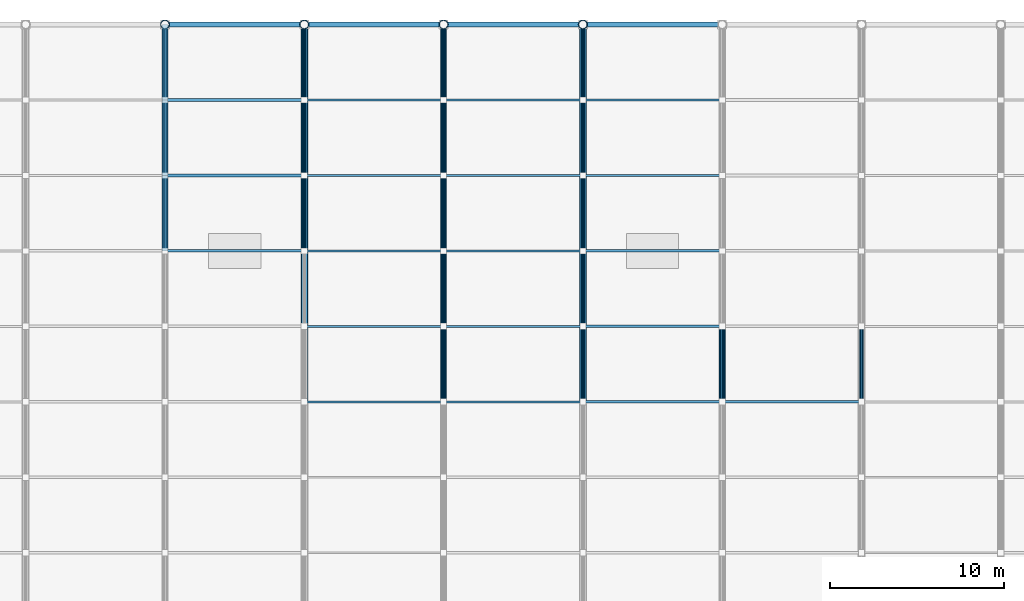
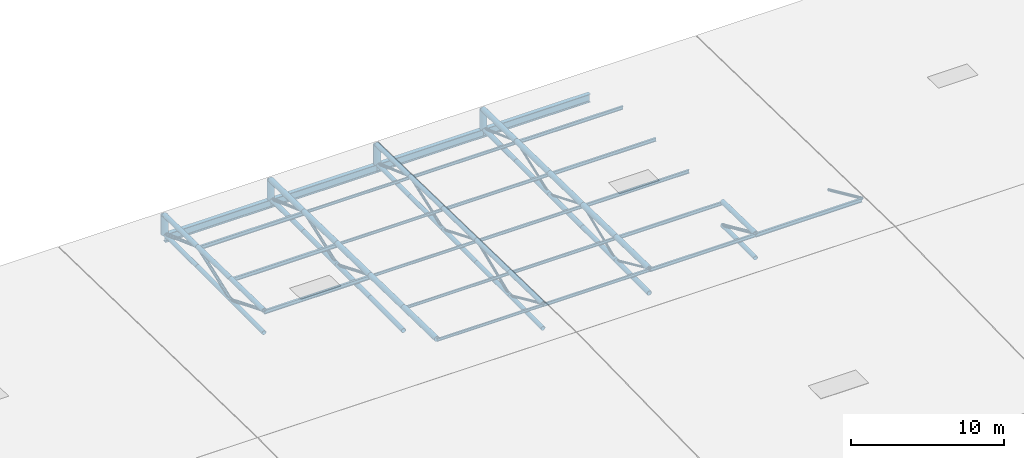
# One storey, part 52 of 75: 78 members, 4 beams.
"""IFC4 building model written with IfcOpenShell, lengths in metres."""

import ifcopenshell
import ifcopenshell.guid

model = None  # the IFC model being written
_history = None  # IfcOwnerHistory: only IFC2X3 demands one
_inside = {}  # id of a spatial element -> (the spatial element, [elements in it])
_under = {}  # id of a project, library or spatial element -> (it, [spatial elements below it])
_declared = {}  # id of a project -> (the project, [libraries it declares])
_typed = {}  # id of a type object -> (the type object, [elements of that type])
_made_of = {}  # id of a material, layer set ... -> (it, [elements and type objects made of it])


def new_model(schema):
    """Start an empty IFC model of exactly this schema.

    Asked for "IFC4X3", IfcOpenShell would pick the latest addendum, in which some entities
    have other attributes; the version numbers below select the first issue.
    IFC2X3 requires an IfcOwnerHistory on every rooted entity: one is made here for all.
    """
    global model, _history
    if schema == "IFC4X3":
        model = ifcopenshell.file(schema_version=(4, 3, 0, 0))
    else:
        model = ifcopenshell.file(schema=schema)
    _inside.clear()
    _under.clear()
    _declared.clear()
    _typed.clear()
    _made_of.clear()
    _history = None
    if model.schema == "IFC2X3":
        org = make("IfcOrganization", Name="unknown")
        user = make(
            "IfcPersonAndOrganization",
            ThePerson=make("IfcPerson", FamilyName="unknown"),
            TheOrganization=org,
        )
        app = make(
            "IfcApplication",
            ApplicationDeveloper=org,
            Version="unknown",
            ApplicationFullName="unknown",
            ApplicationIdentifier="unknown",
        )
        _history = make(
            "IfcOwnerHistory",
            OwningUser=user,
            OwningApplication=app,
            ChangeAction="ADDED",
            CreationDate=0,
        )
    return model


def make(cls, **values):
    """One entity of the class cls with the attributes given. An attribute that is None is left unset."""
    return model.create_entity(
        cls, **{name: value for name, value in values.items() if value is not None}
    )


def rooted(cls, **values):
    """An entity with a GlobalId (a new one), such as an element, a storey or a relation."""
    return make(cls, GlobalId=ifcopenshell.guid.new(), OwnerHistory=_history, **values)


def si_unit(unit_type, name, prefix=None):
    """IfcSIUnit, for example si_unit("LENGTHUNIT", "METRE", prefix="MILLI")."""
    return make("IfcSIUnit", UnitType=unit_type, Prefix=prefix, Name=name)


def assignment(units):
    """IfcUnitAssignment: the units of a project."""
    return None if units is None else make("IfcUnitAssignment", Units=units)


def point(xyz):
    """IfcCartesianPoint."""
    return None if xyz is None else make("IfcCartesianPoint", Coordinates=xyz)


def direction(xyz):
    """IfcDirection."""
    return None if xyz is None else make("IfcDirection", DirectionRatios=xyz)


def frame(location, z_axis=None, x_axis=None):
    """IfcAxis2Placement3D, a coordinate frame: its origin and axes. An axis left out is left unset."""
    return make(
        "IfcAxis2Placement3D",
        Location=point(location),
        Axis=direction(z_axis),
        RefDirection=direction(x_axis),
    )


def frame_2d(location, x_axis=None):
    """IfcAxis2Placement2D, a coordinate frame in the plane: its origin and x axis."""
    return make(
        "IfcAxis2Placement2D", Location=point(location), RefDirection=direction(x_axis)
    )


def origin():
    """The frame at (0, 0, 0) with its axes left unset."""
    return frame((0.0, 0.0, 0.0))


def origin_2d():
    """The frame at (0, 0) in the plane with its x axis left unset."""
    return frame_2d((0.0, 0.0))


def place(relative_to, where):
    """IfcLocalPlacement: puts the frame where relative to a parent placement (None: the world)."""
    return make(
        "IfcLocalPlacement", PlacementRelTo=relative_to, RelativePlacement=where
    )


def context(
    kind, dimensions, precision=None, world=None, true_north=None, identifier=None
):
    """IfcGeometricRepresentationContext, for example the 3D "Model" context."""
    return make(
        "IfcGeometricRepresentationContext",
        ContextIdentifier=identifier,
        ContextType=kind,
        CoordinateSpaceDimension=dimensions,
        Precision=precision,
        WorldCoordinateSystem=world,
        TrueNorth=true_north,
    )


def subcontext(parent, identifier, kind, view, scale=None):
    """IfcGeometricRepresentationSubContext, for example "Body" below "Model"."""
    return make(
        "IfcGeometricRepresentationSubContext",
        ContextIdentifier=identifier,
        ContextType=kind,
        ParentContext=parent,
        TargetScale=scale,
        TargetView=view,
    )


def project(units=None, contexts=None):
    """IfcProject with its units and contexts."""
    return rooted(
        "IfcProject",
        Name="project",
        RepresentationContexts=contexts,
        UnitsInContext=assignment(units),
    )


def spatial(cls, under=None, at=None, **own):
    """A site, building, storey or space (cls), placed at a placement, below another one or the project."""
    s = rooted(cls, ObjectPlacement=at, **own)
    if under is not None:
        _under.setdefault(under.id(), (under, []))[1].append(s)
    return s


def profile(cls, at=None, kind="AREA", **sizes):
    """A parametric profile (cls). Its sizes go by their IFC names, for example OverallWidth=200.0."""
    return make(cls, ProfileType=kind, Position=at, **sizes)


def hollow_circle(**sizes):
    """IfcCircleHollowProfileDef."""
    return profile("IfcCircleHollowProfileDef", **sizes)


def i_section(**sizes):
    """IfcIShapeProfileDef."""
    return profile("IfcIShapeProfileDef", **sizes)


def extrude(swept, where, along, depth):
    """IfcExtrudedAreaSolid: the profile swept, set in the frame where, extruded along a direction by depth."""
    return make(
        "IfcExtrudedAreaSolid",
        SweptArea=swept,
        Position=where,
        ExtrudedDirection=direction(along),
        Depth=depth,
    )


def shape(context_of_items, identifier, shape_type, items):
    """IfcShapeRepresentation: the items that make up one representation, for example the "Body"."""
    return make(
        "IfcShapeRepresentation",
        ContextOfItems=context_of_items,
        RepresentationIdentifier=identifier,
        RepresentationType=shape_type,
        Items=items,
    )


def material(Name=None, Category=None):
    """IfcMaterial."""
    return make("IfcMaterial", Name=Name, Category=Category)


def material_profile(
    of_material, cross_section, Name=None, Category=None, Priority=None
):
    """IfcMaterialProfile: a cross section and its material."""
    return make(
        "IfcMaterialProfile",
        Name=Name,
        Material=of_material,
        Profile=cross_section,
        Priority=Priority,
        Category=Category,
    )


def profile_set(profiles, Name=None, composite=None):
    """IfcMaterialProfileSet."""
    return make(
        "IfcMaterialProfileSet",
        Name=Name,
        MaterialProfiles=profiles,
        CompositeProfile=composite,
    )


def made_of(thing, what):
    """Note that an element or type object is made of a material, layer set ...; save() writes the relation."""
    if what is not None:
        _made_of.setdefault(what.id(), (what, []))[1].append(thing)
    return thing


def type_object(cls, material=None, **own):
    """A type object (cls), such as IfcWallType, which elements share."""
    return made_of(rooted(cls, **own), material)


def element(
    cls,
    number,
    at=None,
    inside=None,
    cuts=None,
    type_object=None,
    material=None,
    context=None,
    identifier="Body",
    shape_type=None,
    held_by="IfcProductDefinitionShape",
    body=None,
    shapes=None,
    **own,
):
    """One element of the class cls, such as IfcWall. Its Tag is "e" and its number.

    at: its placement. inside: the storey or other place that contains it. cuts: it is an
    opening in that element (IfcRelVoidsElement). A single representation is given by context,
    identifier, shape_type and body (its items); several are given by shapes. held_by: the class
    of the entity that holds the representations. save() writes the other relations.
    """
    e = rooted(cls, Tag="e%d" % number, ObjectPlacement=at, **own)
    if body is not None:
        shapes = [shape(context, identifier, shape_type, body)]
    if shapes is not None:
        e.Representation = make(held_by, Representations=shapes)
    if inside is not None:
        _inside.setdefault(inside.id(), (inside, []))[1].append(e)
    if cuts is not None:
        rooted(
            "IfcRelVoidsElement", RelatingBuildingElement=cuts, RelatedOpeningElement=e
        )
    if type_object is not None:
        _typed.setdefault(type_object.id(), (type_object, []))[1].append(e)
    return made_of(e, material)


def aggregate(whole, parts):
    """IfcRelAggregates: a whole, such as a stair, and the parts it consists of."""
    return rooted("IfcRelAggregates", RelatingObject=whole, RelatedObjects=parts)


def save(model, path):
    """Write the relations noted so far, then the file.

    IfcRelAggregates (storeys below a building ...), IfcRelContainedInSpatialStructure (elements
    in a storey), IfcRelDefinesByType, IfcRelAssociatesMaterial and IfcRelDeclares: one each for
    every whole, place, type object, material and project.
    """
    for whole, parts in _under.values():
        aggregate(whole, parts)
    for where, things in _inside.values():
        rooted(
            "IfcRelContainedInSpatialStructure",
            RelatedElements=things,
            RelatingStructure=where,
        )
    for kind, things in _typed.values():
        rooted("IfcRelDefinesByType", RelatedObjects=things, RelatingType=kind)
    for what, things in _made_of.values():
        rooted("IfcRelAssociatesMaterial", RelatedObjects=things, RelatingMaterial=what)
    for by, libraries in _declared.values():
        rooted("IfcRelDeclares", RelatingContext=by, RelatedDefinitions=libraries)
    model.write(path)


model = new_model("IFC4")

# Units and contexts
model_context = context("Model", 3, precision=1e-05, world=origin(), true_north=direction((0.0, 1.0)))
body_context = subcontext(model_context, "Body", "Model", "MODEL_VIEW")
ifc_project = project(units=[si_unit("LENGTHUNIT", "METRE"), si_unit("AREAUNIT", "SQUARE_METRE"), si_unit("VOLUMEUNIT", "CUBIC_METRE"), si_unit("PLANEANGLEUNIT", "RADIAN"), si_unit("MASSUNIT", "GRAM", prefix="KILO")], contexts=[model_context])

# Site, building, storey
site_placement = place(None, origin())
site = spatial("IfcSite", under=ifc_project, at=site_placement, CompositionType="ELEMENT")
building_placement = place(site_placement, origin())
building = spatial("IfcBuilding", under=site, at=building_placement, Name="Khorjan Park Terminus", CompositionType="ELEMENT")
storey_placement = place(building_placement, frame((0.0, 0.0, 16.2)))
storey = spatial("IfcBuildingStorey", under=building, at=storey_placement, Name="L03", CompositionType="ELEMENT", Elevation=16.2)

# Members
ifc_material = material(Name="Steel S355", Category="steel")
ifc_material_profile_1 = material_profile(ifc_material, hollow_circle(Radius=0.0842, WallThickness=0.008, at=origin_2d()), Name="CHS 168.3x8")
ifc_profile_set_1 = profile_set([ifc_material_profile_1], Name="Steel S355")
member_type_1 = type_object("IfcMemberType", Name="MB-BR-168", PredefinedType="BRACE", material=ifc_profile_set_1)
member_1_placement = place(storey_placement, frame((88.0, 132.3333, -0.6417), z_axis=(0.0, 0.911269553162, -0.411810395061), x_axis=(-1.0, 0.0, 0.0)))
element("IfcMember", 1, at=member_1_placement, inside=storey, type_object=member_type_1, Name="Train shed flat truss web diagonal TB-17 (T11)", PredefinedType="BRACE", context=body_context, shape_type="SweptSolid", body=[
    extrude(hollow_circle(Radius=0.0842, WallThickness=0.008, at=origin_2d()), origin(), (0.0, 0.0, 1.0), 4.7553),
])
for number, where, z_axis, x_axis, name in (
    (2, (88.0, 136.6667, -2.6), (0.0, 0.92537575721, 0.379051062481), (-1.0, 0.0, 0.0), "Train shed flat truss web diagonal TB-17 (T11)"),
    (3, (88.0, 141.0, -0.825), (0.0, 0.92537575721, -0.379051062481), (-1.0, 0.0, 0.0), "Train shed flat truss web diagonal TB-17 (T11)"),
):
    element("IfcMember", number, at=place(storey_placement, frame(where, z_axis=z_axis, x_axis=x_axis)), inside=storey, type_object=member_type_1, Name=name, PredefinedType="BRACE", context=body_context, shape_type="SweptSolid", body=[
        extrude(hollow_circle(Radius=0.0842, WallThickness=0.008, at=origin_2d()), origin(), (0.0, 0.0, 1.0), 4.6827),
    ])
member_2_placement = place(storey_placement, frame((88.0, 145.3333, -2.6), z_axis=(0.0, 0.938681062758, 0.344786691187), x_axis=(-1.0, 0.0, 0.0)))
element("IfcMember", 4, at=member_2_placement, inside=storey, type_object=member_type_1, Name="Train shed flat truss web diagonal TB-17 (T11)", PredefinedType="BRACE", context=body_context, shape_type="SweptSolid", body=[
    extrude(hollow_circle(Radius=0.0842, WallThickness=0.008, at=origin_2d()), origin(), (0.0, 0.0, 1.0), 4.6165),
])
member_3_placement = place(storey_placement, frame((88.0, 149.6667, -1.0083), z_axis=(0.0, 0.938678487602, -0.344793701963), x_axis=(-1.0, 0.0, 0.0)))
element("IfcMember", 5, at=member_3_placement, inside=storey, type_object=member_type_1, Name="Train shed flat truss web diagonal TB-17 (T11)", PredefinedType="BRACE", context=body_context, shape_type="SweptSolid", body=[
    extrude(hollow_circle(Radius=0.0842, WallThickness=0.008, at=origin_2d()), origin(), (0.0, 0.0, 1.0), 4.6164),
])
ifc_material_profile_2 = material_profile(ifc_material, hollow_circle(Radius=0.0969, WallThickness=0.01, at=origin_2d()), Name="CHS 193.7x10")
ifc_profile_set_2 = profile_set([ifc_material_profile_2], Name="Steel S355")
member_type_2 = type_object("IfcMemberType", Name="MB-BR-194", PredefinedType="BRACE", material=ifc_profile_set_2)
member_4_placement = place(storey_placement, frame((80.0, 132.3333, -0.6417), z_axis=(0.0, 0.911269553162, -0.411810395061), x_axis=(-1.0, 0.0, 0.0)))
element("IfcMember", 6, at=member_4_placement, inside=storey, type_object=member_type_2, Name="Train shed flat truss web diagonal TB-19 (T10)", PredefinedType="BRACE", context=body_context, shape_type="SweptSolid", body=[
    extrude(hollow_circle(Radius=0.0969, WallThickness=0.01, at=origin_2d()), origin(), (0.0, 0.0, 1.0), 4.7553),
])
for number, where, z_axis, x_axis, name in (
    (7, (80.0, 136.6667, -2.6), (0.0, 0.92537575721, 0.379051062481), (-1.0, 0.0, 0.0), "Train shed flat truss web diagonal TB-19 (T10)"),
    (8, (80.0, 141.0, -0.825), (0.0, 0.92537575721, -0.379051062481), (-1.0, 0.0, 0.0), "Train shed flat truss web diagonal TB-19 (T10)"),
):
    element("IfcMember", number, at=place(storey_placement, frame(where, z_axis=z_axis, x_axis=x_axis)), inside=storey, type_object=member_type_2, Name=name, PredefinedType="BRACE", context=body_context, shape_type="SweptSolid", body=[
        extrude(hollow_circle(Radius=0.0969, WallThickness=0.01, at=origin_2d()), origin(), (0.0, 0.0, 1.0), 4.6827),
    ])
member_5_placement = place(storey_placement, frame((80.0, 145.3333, -2.6), z_axis=(0.0, 0.938681062758, 0.344786691187), x_axis=(-1.0, 0.0, 0.0)))
element("IfcMember", 9, at=member_5_placement, inside=storey, type_object=member_type_2, Name="Train shed flat truss web diagonal TB-19 (T10)", PredefinedType="BRACE", context=body_context, shape_type="SweptSolid", body=[
    extrude(hollow_circle(Radius=0.0969, WallThickness=0.01, at=origin_2d()), origin(), (0.0, 0.0, 1.0), 4.6165),
])
member_6_placement = place(storey_placement, frame((80.0, 149.6667, -1.0083), z_axis=(0.0, 0.938678487602, -0.344793701963), x_axis=(-1.0, 0.0, 0.0)))
element("IfcMember", 10, at=member_6_placement, inside=storey, type_object=member_type_2, Name="Train shed flat truss web diagonal TB-19 (T10)", PredefinedType="BRACE", context=body_context, shape_type="SweptSolid", body=[
    extrude(hollow_circle(Radius=0.0969, WallThickness=0.01, at=origin_2d()), origin(), (0.0, 0.0, 1.0), 4.6164),
])
ifc_material_profile_3 = material_profile(ifc_material, hollow_circle(Radius=0.1095, WallThickness=0.01, at=origin_2d()), Name="CHS 219.1x10")
ifc_profile_set_3 = profile_set([ifc_material_profile_3], Name="Steel S355")
member_type_3 = type_object("IfcMemberType", Name="MB-BR-219", PredefinedType="BRACE", material=ifc_profile_set_3)
member_7_placement = place(storey_placement, frame((72.0, 141.0, -0.825), z_axis=(0.0, 0.92537575721, -0.379051062481), x_axis=(-1.0, 0.0, 0.0)))
element("IfcMember", 11, at=member_7_placement, inside=storey, type_object=member_type_3, Name="Train shed flat truss web diagonal TB-22 (T9)", PredefinedType="BRACE", context=body_context, shape_type="SweptSolid", body=[
    extrude(hollow_circle(Radius=0.1095, WallThickness=0.01, at=origin_2d()), origin(), (0.0, 0.0, 1.0), 4.6827),
])
member_8_placement = place(storey_placement, frame((72.0, 145.3333, -2.6), z_axis=(0.0, 0.938681062758, 0.344786691187), x_axis=(-1.0, 0.0, 0.0)))
element("IfcMember", 12, at=member_8_placement, inside=storey, type_object=member_type_3, Name="Train shed flat truss web diagonal TB-22 (T9)", PredefinedType="BRACE", context=body_context, shape_type="SweptSolid", body=[
    extrude(hollow_circle(Radius=0.1095, WallThickness=0.01, at=origin_2d()), origin(), (0.0, 0.0, 1.0), 4.6165),
])
member_9_placement = place(storey_placement, frame((72.0, 149.6667, -1.0083), z_axis=(0.0, 0.938678487602, -0.344793701963), x_axis=(-1.0, 0.0, 0.0)))
element("IfcMember", 13, at=member_9_placement, inside=storey, type_object=member_type_3, Name="Train shed flat truss web diagonal TB-22 (T9)", PredefinedType="BRACE", context=body_context, shape_type="SweptSolid", body=[
    extrude(hollow_circle(Radius=0.1095, WallThickness=0.01, at=origin_2d()), origin(), (0.0, 0.0, 1.0), 4.6164),
])
member_10_placement = place(storey_placement, frame((104.0, 132.3333, -0.6417), z_axis=(0.0, 0.911269553162, -0.411810395061), x_axis=(-1.0, 0.0, 0.0)))
element("IfcMember", 14, at=member_10_placement, inside=storey, type_object=member_type_3, Name="Train shed flat truss web diagonal TB-22 (T13)", PredefinedType="BRACE", context=body_context, shape_type="SweptSolid", body=[
    extrude(hollow_circle(Radius=0.1095, WallThickness=0.01, at=origin_2d()), origin(), (0.0, 0.0, 1.0), 4.7553),
])
ifc_material_profile_4 = material_profile(ifc_material, hollow_circle(Radius=0.1222, WallThickness=0.0125, at=origin_2d()), Name="CHS 244.5x12.5")
ifc_profile_set_4 = profile_set([ifc_material_profile_4], Name="Steel S355")
member_type_4 = type_object("IfcMemberType", Name="MB-BR-245", PredefinedType="BRACE", material=ifc_profile_set_4)
member_11_placement = place(storey_placement, frame((64.0, 141.0, -0.825), z_axis=(0.0, 0.92537575721, -0.379051062481), x_axis=(-1.0, 0.0, 0.0)))
element("IfcMember", 15, at=member_11_placement, inside=storey, type_object=member_type_4, Name="Train shed flat truss web diagonal TB-24 (T8)", PredefinedType="BRACE", context=body_context, shape_type="SweptSolid", body=[
    extrude(hollow_circle(Radius=0.1222, WallThickness=0.0125, at=origin_2d()), origin(), (0.0, 0.0, 1.0), 4.6827),
])
member_12_placement = place(storey_placement, frame((64.0, 145.3333, -2.6), z_axis=(0.0, 0.938681062758, 0.344786691187), x_axis=(-1.0, 0.0, 0.0)))
element("IfcMember", 16, at=member_12_placement, inside=storey, type_object=member_type_4, Name="Train shed flat truss web diagonal TB-24 (T8)", PredefinedType="BRACE", context=body_context, shape_type="SweptSolid", body=[
    extrude(hollow_circle(Radius=0.1222, WallThickness=0.0125, at=origin_2d()), origin(), (0.0, 0.0, 1.0), 4.6165),
])
member_13_placement = place(storey_placement, frame((64.0, 149.6667, -1.0083), z_axis=(0.0, 0.938678487602, -0.344793701963), x_axis=(-1.0, 0.0, 0.0)))
element("IfcMember", 17, at=member_13_placement, inside=storey, type_object=member_type_4, Name="Train shed flat truss web diagonal TB-24 (T8)", PredefinedType="BRACE", context=body_context, shape_type="SweptSolid", body=[
    extrude(hollow_circle(Radius=0.1222, WallThickness=0.0125, at=origin_2d()), origin(), (0.0, 0.0, 1.0), 4.6164),
])
member_14_placement = place(storey_placement, frame((96.0, 132.3333, -0.6417), z_axis=(0.0, 0.911269553162, -0.411810395061), x_axis=(-1.0, 0.0, 0.0)))
element("IfcMember", 18, at=member_14_placement, inside=storey, type_object=member_type_4, Name="Train shed flat truss web diagonal TB-24 (T12)", PredefinedType="BRACE", context=body_context, shape_type="SweptSolid", body=[
    extrude(hollow_circle(Radius=0.1222, WallThickness=0.0125, at=origin_2d()), origin(), (0.0, 0.0, 1.0), 4.7553),
])
ifc_material_profile_5 = material_profile(ifc_material, hollow_circle(Radius=0.162, WallThickness=0.0125, at=origin_2d()), Name="CHS 323.9x12.5")
ifc_profile_set_5 = profile_set([ifc_material_profile_5], Name="Steel S355")
member_type_5 = type_object("IfcMemberType", Name="MB-CH-324", PredefinedType="CHORD", material=ifc_profile_set_5)
member_15_placement = place(storey_placement, frame((64.0, 141.0, -2.6), z_axis=(0.0, 1.0, 0.0), x_axis=(-1.0, 0.0, 0.0)))
element("IfcMember", 19, at=member_15_placement, inside=storey, type_object=member_type_5, Name="Train shed flat truss bottom chord TC-32 (T8)", PredefinedType="CHORD", context=body_context, shape_type="SweptSolid", body=[
    extrude(hollow_circle(Radius=0.162, WallThickness=0.0125, at=origin_2d()), origin(), (0.0, 0.0, 1.0), 4.3333),
])
member_16_placement = place(storey_placement, frame((64.0, 145.3333, -2.6), z_axis=(0.0, 1.0, 0.0), x_axis=(-1.0, 0.0, 0.0)))
element("IfcMember", 20, at=member_16_placement, inside=storey, type_object=member_type_5, Name="Train shed flat truss bottom chord TC-32 (T8)", PredefinedType="CHORD", context=body_context, shape_type="SweptSolid", body=[
    extrude(hollow_circle(Radius=0.162, WallThickness=0.0125, at=origin_2d()), origin(), (0.0, 0.0, 1.0), 4.3334),
])
member_17_placement = place(storey_placement, frame((64.0, 149.6667, -2.6), z_axis=(0.0, 1.0, 0.0), x_axis=(-1.0, 0.0, 0.0)))
element("IfcMember", 21, at=member_17_placement, inside=storey, type_object=member_type_5, Name="Train shed flat truss bottom chord TC-32 (T8)", PredefinedType="CHORD", context=body_context, shape_type="SweptSolid", body=[
    extrude(hollow_circle(Radius=0.162, WallThickness=0.0125, at=origin_2d()), origin(), (0.0, 0.0, 1.0), 4.3333),
])
member_18_placement = place(storey_placement, frame((80.0, 132.3333, -2.6), z_axis=(0.0, 1.0, 0.0), x_axis=(-1.0, 0.0, 0.0)))
element("IfcMember", 22, at=member_18_placement, inside=storey, type_object=member_type_5, Name="Train shed flat truss bottom chord TC-32 (T10)", PredefinedType="CHORD", context=body_context, shape_type="SweptSolid", body=[
    extrude(hollow_circle(Radius=0.162, WallThickness=0.0125, at=origin_2d()), origin(), (0.0, 0.0, 1.0), 4.3334),
])
for number, where, z_axis, x_axis, name in (
    (23, (80.0, 136.6667, -2.6), (0.0, 1.0, 0.0), (-1.0, 0.0, 0.0), "Train shed flat truss bottom chord TC-32 (T10)"),
    (24, (80.0, 141.0, -2.6), (0.0, 1.0, 0.0), (-1.0, 0.0, 0.0), "Train shed flat truss bottom chord TC-32 (T10)"),
):
    element("IfcMember", number, at=place(storey_placement, frame(where, z_axis=z_axis, x_axis=x_axis)), inside=storey, type_object=member_type_5, Name=name, PredefinedType="CHORD", context=body_context, shape_type="SweptSolid", body=[
        extrude(hollow_circle(Radius=0.162, WallThickness=0.0125, at=origin_2d()), origin(), (0.0, 0.0, 1.0), 4.3333),
    ])
member_19_placement = place(storey_placement, frame((80.0, 145.3333, -2.6), z_axis=(0.0, 1.0, 0.0), x_axis=(-1.0, 0.0, 0.0)))
element("IfcMember", 25, at=member_19_placement, inside=storey, type_object=member_type_5, Name="Train shed flat truss bottom chord TC-32 (T10)", PredefinedType="CHORD", context=body_context, shape_type="SweptSolid", body=[
    extrude(hollow_circle(Radius=0.162, WallThickness=0.0125, at=origin_2d()), origin(), (0.0, 0.0, 1.0), 4.3334),
])
member_20_placement = place(storey_placement, frame((80.0, 149.6667, -2.6), z_axis=(0.0, 1.0, 0.0), x_axis=(-1.0, 0.0, 0.0)))
element("IfcMember", 26, at=member_20_placement, inside=storey, type_object=member_type_5, Name="Train shed flat truss bottom chord TC-32 (T10)", PredefinedType="CHORD", context=body_context, shape_type="SweptSolid", body=[
    extrude(hollow_circle(Radius=0.162, WallThickness=0.0125, at=origin_2d()), origin(), (0.0, 0.0, 1.0), 4.3333),
])
member_21_placement = place(storey_placement, frame((96.0, 132.3333, -2.6), z_axis=(0.0, 1.0, 0.0), x_axis=(-1.0, 0.0, 0.0)))
element("IfcMember", 27, at=member_21_placement, inside=storey, type_object=member_type_5, Name="Train shed flat truss bottom chord TC-32 (T12)", PredefinedType="CHORD", context=body_context, shape_type="SweptSolid", body=[
    extrude(hollow_circle(Radius=0.162, WallThickness=0.0125, at=origin_2d()), origin(), (0.0, 0.0, 1.0), 4.3334),
])
ifc_material_profile_6 = material_profile(ifc_material, hollow_circle(Radius=0.1778, WallThickness=0.016, at=origin_2d()), Name="CHS 355.6x16")
ifc_profile_set_6 = profile_set([ifc_material_profile_6], Name="Steel S355")
member_type_6 = type_object("IfcMemberType", Name="MB-CH-356", PredefinedType="CHORD", material=ifc_profile_set_6)
member_22_placement = place(storey_placement, frame((64.0, 141.0, -0.825), z_axis=(0.0, 0.999776166375, -0.021156964544), x_axis=(-1.0, 0.0, 0.0)))
element("IfcMember", 28, at=member_22_placement, inside=storey, type_object=member_type_6, Name="Train shed flat truss top chord TC-36 (T8)", PredefinedType="CHORD", context=body_context, shape_type="SweptSolid", body=[
    extrude(hollow_circle(Radius=0.1778, WallThickness=0.016, at=origin_2d()), origin(), (0.0, 0.0, 1.0), 4.3343),
])
member_23_placement = place(storey_placement, frame((64.0, 145.3333, -0.9167), z_axis=(0.0, 0.999776664437, -0.021133415439), x_axis=(-1.0, 0.0, 0.0)))
element("IfcMember", 29, at=member_23_placement, inside=storey, type_object=member_type_6, Name="Train shed flat truss top chord TC-36 (T8)", PredefinedType="CHORD", context=body_context, shape_type="SweptSolid", body=[
    extrude(hollow_circle(Radius=0.1778, WallThickness=0.016, at=origin_2d()), origin(), (0.0, 0.0, 1.0), 4.3344),
])
member_24_placement = place(storey_placement, frame((64.0, 149.6667, -1.0083), z_axis=(0.0, 0.999776166375, -0.021156964544), x_axis=(-1.0, 0.0, 0.0)))
element("IfcMember", 30, at=member_24_placement, inside=storey, type_object=member_type_6, Name="Train shed flat truss top chord TC-36 (T8)", PredefinedType="CHORD", context=body_context, shape_type="SweptSolid", body=[
    extrude(hollow_circle(Radius=0.1778, WallThickness=0.016, at=origin_2d()), origin(), (0.0, 0.0, 1.0), 4.3343),
])
for number, where, z_axis, x_axis, name in (
    (31, (72.0, 136.6667, -2.6), (0.0, 1.0, 0.0), (-1.0, 0.0, 0.0), "Train shed flat truss bottom chord TC-36 (T9)"),
    (32, (72.0, 141.0, -2.6), (0.0, 1.0, 0.0), (-1.0, 0.0, 0.0), "Train shed flat truss bottom chord TC-36 (T9)"),
):
    element("IfcMember", number, at=place(storey_placement, frame(where, z_axis=z_axis, x_axis=x_axis)), inside=storey, type_object=member_type_6, Name=name, PredefinedType="CHORD", context=body_context, shape_type="SweptSolid", body=[
        extrude(hollow_circle(Radius=0.1778, WallThickness=0.016, at=origin_2d()), origin(), (0.0, 0.0, 1.0), 4.3333),
    ])
member_25_placement = place(storey_placement, frame((72.0, 145.3333, -2.6), z_axis=(0.0, 1.0, 0.0), x_axis=(-1.0, 0.0, 0.0)))
element("IfcMember", 33, at=member_25_placement, inside=storey, type_object=member_type_6, Name="Train shed flat truss bottom chord TC-36 (T9)", PredefinedType="CHORD", context=body_context, shape_type="SweptSolid", body=[
    extrude(hollow_circle(Radius=0.1778, WallThickness=0.016, at=origin_2d()), origin(), (0.0, 0.0, 1.0), 4.3334),
])
member_26_placement = place(storey_placement, frame((72.0, 149.6667, -2.6), z_axis=(0.0, 1.0, 0.0), x_axis=(-1.0, 0.0, 0.0)))
element("IfcMember", 34, at=member_26_placement, inside=storey, type_object=member_type_6, Name="Train shed flat truss bottom chord TC-36 (T9)", PredefinedType="CHORD", context=body_context, shape_type="SweptSolid", body=[
    extrude(hollow_circle(Radius=0.1778, WallThickness=0.016, at=origin_2d()), origin(), (0.0, 0.0, 1.0), 4.3333),
])
member_27_placement = place(storey_placement, frame((80.0, 132.3333, -0.6417), z_axis=(0.0, 0.999776664437, -0.021133415439), x_axis=(-1.0, 0.0, 0.0)))
element("IfcMember", 35, at=member_27_placement, inside=storey, type_object=member_type_6, Name="Train shed flat truss top chord TC-36 (T10)", PredefinedType="CHORD", context=body_context, shape_type="SweptSolid", body=[
    extrude(hollow_circle(Radius=0.1778, WallThickness=0.016, at=origin_2d()), origin(), (0.0, 0.0, 1.0), 4.3344),
])
for number, where, z_axis, x_axis, name in (
    (36, (80.0, 136.6667, -0.7333), (0.0, 0.999776166375, -0.021156964544), (-1.0, 0.0, 0.0), "Train shed flat truss top chord TC-36 (T10)"),
    (37, (80.0, 141.0, -0.825), (0.0, 0.999776166375, -0.021156964544), (-1.0, 0.0, 0.0), "Train shed flat truss top chord TC-36 (T10)"),
):
    element("IfcMember", number, at=place(storey_placement, frame(where, z_axis=z_axis, x_axis=x_axis)), inside=storey, type_object=member_type_6, Name=name, PredefinedType="CHORD", context=body_context, shape_type="SweptSolid", body=[
        extrude(hollow_circle(Radius=0.1778, WallThickness=0.016, at=origin_2d()), origin(), (0.0, 0.0, 1.0), 4.3343),
    ])
member_28_placement = place(storey_placement, frame((80.0, 145.3333, -0.9167), z_axis=(0.0, 0.999776664437, -0.021133415439), x_axis=(-1.0, 0.0, 0.0)))
element("IfcMember", 38, at=member_28_placement, inside=storey, type_object=member_type_6, Name="Train shed flat truss top chord TC-36 (T10)", PredefinedType="CHORD", context=body_context, shape_type="SweptSolid", body=[
    extrude(hollow_circle(Radius=0.1778, WallThickness=0.016, at=origin_2d()), origin(), (0.0, 0.0, 1.0), 4.3344),
])
member_29_placement = place(storey_placement, frame((80.0, 149.6667, -1.0083), z_axis=(0.0, 0.999776166375, -0.021156964544), x_axis=(-1.0, 0.0, 0.0)))
element("IfcMember", 39, at=member_29_placement, inside=storey, type_object=member_type_6, Name="Train shed flat truss top chord TC-36 (T10)", PredefinedType="CHORD", context=body_context, shape_type="SweptSolid", body=[
    extrude(hollow_circle(Radius=0.1778, WallThickness=0.016, at=origin_2d()), origin(), (0.0, 0.0, 1.0), 4.3343),
])
member_30_placement = place(storey_placement, frame((88.0, 132.3333, -2.6), z_axis=(0.0, 1.0, 0.0), x_axis=(-1.0, 0.0, 0.0)))
element("IfcMember", 40, at=member_30_placement, inside=storey, type_object=member_type_6, Name="Train shed flat truss bottom chord TC-36 (T11)", PredefinedType="CHORD", context=body_context, shape_type="SweptSolid", body=[
    extrude(hollow_circle(Radius=0.1778, WallThickness=0.016, at=origin_2d()), origin(), (0.0, 0.0, 1.0), 4.3334),
])
for number, where, z_axis, x_axis, name in (
    (41, (88.0, 136.6667, -2.6), (0.0, 1.0, 0.0), (-1.0, 0.0, 0.0), "Train shed flat truss bottom chord TC-36 (T11)"),
    (42, (88.0, 141.0, -2.6), (0.0, 1.0, 0.0), (-1.0, 0.0, 0.0), "Train shed flat truss bottom chord TC-36 (T11)"),
):
    element("IfcMember", number, at=place(storey_placement, frame(where, z_axis=z_axis, x_axis=x_axis)), inside=storey, type_object=member_type_6, Name=name, PredefinedType="CHORD", context=body_context, shape_type="SweptSolid", body=[
        extrude(hollow_circle(Radius=0.1778, WallThickness=0.016, at=origin_2d()), origin(), (0.0, 0.0, 1.0), 4.3333),
    ])
member_31_placement = place(storey_placement, frame((88.0, 145.3333, -2.6), z_axis=(0.0, 1.0, 0.0), x_axis=(-1.0, 0.0, 0.0)))
element("IfcMember", 43, at=member_31_placement, inside=storey, type_object=member_type_6, Name="Train shed flat truss bottom chord TC-36 (T11)", PredefinedType="CHORD", context=body_context, shape_type="SweptSolid", body=[
    extrude(hollow_circle(Radius=0.1778, WallThickness=0.016, at=origin_2d()), origin(), (0.0, 0.0, 1.0), 4.3334),
])
member_32_placement = place(storey_placement, frame((88.0, 149.6667, -2.6), z_axis=(0.0, 1.0, 0.0), x_axis=(-1.0, 0.0, 0.0)))
element("IfcMember", 44, at=member_32_placement, inside=storey, type_object=member_type_6, Name="Train shed flat truss bottom chord TC-36 (T11)", PredefinedType="CHORD", context=body_context, shape_type="SweptSolid", body=[
    extrude(hollow_circle(Radius=0.1778, WallThickness=0.016, at=origin_2d()), origin(), (0.0, 0.0, 1.0), 4.3333),
])
member_33_placement = place(storey_placement, frame((96.0, 132.3333, -0.6417), z_axis=(0.0, 0.999776664437, -0.021133415439), x_axis=(-1.0, 0.0, 0.0)))
element("IfcMember", 45, at=member_33_placement, inside=storey, type_object=member_type_6, Name="Train shed flat truss top chord TC-36 (T12)", PredefinedType="CHORD", context=body_context, shape_type="SweptSolid", body=[
    extrude(hollow_circle(Radius=0.1778, WallThickness=0.016, at=origin_2d()), origin(), (0.0, 0.0, 1.0), 4.3344),
])
ifc_material_profile_7 = material_profile(ifc_material, hollow_circle(Radius=0.2032, WallThickness=0.016, at=origin_2d()), Name="CHS 406.4x16")
ifc_profile_set_7 = profile_set([ifc_material_profile_7], Name="Steel S355")
member_type_7 = type_object("IfcMemberType", Name="MB-CH-406", PredefinedType="CHORD", material=ifc_profile_set_7)
member_34_placement = place(storey_placement, frame((72.0, 132.3333, -0.6417), z_axis=(0.0, 0.999776664437, -0.021133415439), x_axis=(-1.0, 0.0, 0.0)))
element("IfcMember", 46, at=member_34_placement, inside=storey, type_object=member_type_7, Name="Train shed flat truss top chord TC-41 (T9)", PredefinedType="CHORD", context=body_context, shape_type="SweptSolid", body=[
    extrude(hollow_circle(Radius=0.2032, WallThickness=0.016, at=origin_2d()), origin(), (0.0, 0.0, 1.0), 4.3344),
])
for number, where, z_axis, x_axis, name in (
    (47, (72.0, 136.6667, -0.7333), (0.0, 0.999776166375, -0.021156964544), (-1.0, 0.0, 0.0), "Train shed flat truss top chord TC-41 (T9)"),
    (48, (72.0, 141.0, -0.825), (0.0, 0.999776166375, -0.021156964544), (-1.0, 0.0, 0.0), "Train shed flat truss top chord TC-41 (T9)"),
):
    element("IfcMember", number, at=place(storey_placement, frame(where, z_axis=z_axis, x_axis=x_axis)), inside=storey, type_object=member_type_7, Name=name, PredefinedType="CHORD", context=body_context, shape_type="SweptSolid", body=[
        extrude(hollow_circle(Radius=0.2032, WallThickness=0.016, at=origin_2d()), origin(), (0.0, 0.0, 1.0), 4.3343),
    ])
member_35_placement = place(storey_placement, frame((72.0, 145.3333, -0.9167), z_axis=(0.0, 0.999776664437, -0.021133415439), x_axis=(-1.0, 0.0, 0.0)))
element("IfcMember", 49, at=member_35_placement, inside=storey, type_object=member_type_7, Name="Train shed flat truss top chord TC-41 (T9)", PredefinedType="CHORD", context=body_context, shape_type="SweptSolid", body=[
    extrude(hollow_circle(Radius=0.2032, WallThickness=0.016, at=origin_2d()), origin(), (0.0, 0.0, 1.0), 4.3344),
])
member_36_placement = place(storey_placement, frame((72.0, 149.6667, -1.0083), z_axis=(0.0, 0.999776166375, -0.021156964544), x_axis=(-1.0, 0.0, 0.0)))
element("IfcMember", 50, at=member_36_placement, inside=storey, type_object=member_type_7, Name="Train shed flat truss top chord TC-41 (T9)", PredefinedType="CHORD", context=body_context, shape_type="SweptSolid", body=[
    extrude(hollow_circle(Radius=0.2032, WallThickness=0.016, at=origin_2d()), origin(), (0.0, 0.0, 1.0), 4.3343),
])
member_37_placement = place(storey_placement, frame((88.0, 132.3333, -0.6417), z_axis=(0.0, 0.999776664437, -0.021133415439), x_axis=(-1.0, 0.0, 0.0)))
element("IfcMember", 51, at=member_37_placement, inside=storey, type_object=member_type_7, Name="Train shed flat truss top chord TC-41 (T11)", PredefinedType="CHORD", context=body_context, shape_type="SweptSolid", body=[
    extrude(hollow_circle(Radius=0.2032, WallThickness=0.016, at=origin_2d()), origin(), (0.0, 0.0, 1.0), 4.3344),
])
for number, where, z_axis, x_axis, name in (
    (52, (88.0, 136.6667, -0.7333), (0.0, 0.999776166375, -0.021156964544), (-1.0, 0.0, 0.0), "Train shed flat truss top chord TC-41 (T11)"),
    (53, (88.0, 141.0, -0.825), (0.0, 0.999776166375, -0.021156964544), (-1.0, 0.0, 0.0), "Train shed flat truss top chord TC-41 (T11)"),
):
    element("IfcMember", number, at=place(storey_placement, frame(where, z_axis=z_axis, x_axis=x_axis)), inside=storey, type_object=member_type_7, Name=name, PredefinedType="CHORD", context=body_context, shape_type="SweptSolid", body=[
        extrude(hollow_circle(Radius=0.2032, WallThickness=0.016, at=origin_2d()), origin(), (0.0, 0.0, 1.0), 4.3343),
    ])
member_38_placement = place(storey_placement, frame((88.0, 145.3333, -0.9167), z_axis=(0.0, 0.999776664437, -0.021133415439), x_axis=(-1.0, 0.0, 0.0)))
element("IfcMember", 54, at=member_38_placement, inside=storey, type_object=member_type_7, Name="Train shed flat truss top chord TC-41 (T11)", PredefinedType="CHORD", context=body_context, shape_type="SweptSolid", body=[
    extrude(hollow_circle(Radius=0.2032, WallThickness=0.016, at=origin_2d()), origin(), (0.0, 0.0, 1.0), 4.3344),
])
member_39_placement = place(storey_placement, frame((88.0, 149.6667, -1.0083), z_axis=(0.0, 0.999776166375, -0.021156964544), x_axis=(-1.0, 0.0, 0.0)))
element("IfcMember", 55, at=member_39_placement, inside=storey, type_object=member_type_7, Name="Train shed flat truss top chord TC-41 (T11)", PredefinedType="CHORD", context=body_context, shape_type="SweptSolid", body=[
    extrude(hollow_circle(Radius=0.2032, WallThickness=0.016, at=origin_2d()), origin(), (0.0, 0.0, 1.0), 4.3343),
])
ifc_material_profile_8 = material_profile(ifc_material, i_section(OverallWidth=0.11, OverallDepth=0.22, WebThickness=0.0059, FlangeThickness=0.0092, FilletRadius=0.012, at=origin_2d()), Name="IPE 220")
ifc_profile_set_8 = profile_set([ifc_material_profile_8], Name="Steel S355")
member_type_8 = type_object("IfcMemberType", Name="MB-PR-IPE220", PredefinedType="PURLIN", material=ifc_profile_set_8)
for number, where, z_axis, x_axis, name in (
    (56, (72.0, 132.3333, -0.7317), (1.0, 0.0, 0.0), (0.0, 1.0, 0.0), "Train shed secondary roof purlin PR-22 (Bay 9)"),
    (57, (72.0, 136.6667, -0.8233), (1.0, 0.0, 0.0), (0.0, 1.0, 0.0), "Train shed secondary roof purlin PR-22 (Bay 9)"),
    (58, (72.0, 141.0, -0.915), (1.0, 0.0, 0.0), (0.0, 1.0, 0.0), "Train shed secondary roof purlin PR-22 (Bay 9)"),
    (59, (72.0, 145.3333, -1.0067), (1.0, 0.0, 0.0), (0.0, 1.0, 0.0), "Train shed secondary roof purlin PR-22 (Bay 9)"),
    (60, (72.0, 149.6667, -1.0983), (1.0, 0.0, 0.0), (0.0, 1.0, 0.0), "Train shed secondary roof purlin PR-22 (Bay 9)"),
):
    element("IfcMember", number, at=place(storey_placement, frame(where, z_axis=z_axis, x_axis=x_axis)), inside=storey, type_object=member_type_8, Name=name, PredefinedType="PURLIN", context=body_context, shape_type="SweptSolid", body=[
        extrude(i_section(OverallWidth=0.11, OverallDepth=0.22, WebThickness=0.0059, FlangeThickness=0.0092, FilletRadius=0.012, at=origin_2d()), origin(), (0.0, 0.0, 1.0), 8.0),
    ])
ifc_material_profile_9 = material_profile(ifc_material, i_section(OverallWidth=0.12, OverallDepth=0.24, WebThickness=0.0062, FlangeThickness=0.0098, FilletRadius=0.015, at=origin_2d()), Name="IPE 240")
ifc_profile_set_9 = profile_set([ifc_material_profile_9], Name="Steel S355")
member_type_9 = type_object("IfcMemberType", Name="MB-PR-IPE240", PredefinedType="PURLIN", material=ifc_profile_set_9)
for number, where, z_axis, x_axis, name in (
    (61, (80.0, 132.3333, -0.7417), (1.0, 0.0, 0.0), (0.0, 1.0, 0.0), "Train shed secondary roof purlin PR-24 (Bay 10)"),
    (62, (80.0, 136.6667, -0.8333), (1.0, 0.0, 0.0), (0.0, 1.0, 0.0), "Train shed secondary roof purlin PR-24 (Bay 10)"),
    (63, (80.0, 141.0, -0.925), (1.0, 0.0, 0.0), (0.0, 1.0, 0.0), "Train shed secondary roof purlin PR-24 (Bay 10)"),
    (64, (80.0, 145.3333, -1.0167), (1.0, 0.0, 0.0), (0.0, 1.0, 0.0), "Train shed secondary roof purlin PR-24 (Bay 10)"),
    (65, (80.0, 149.6667, -1.1083), (1.0, 0.0, 0.0), (0.0, 1.0, 0.0), "Train shed secondary roof purlin PR-24 (Bay 10)"),
):
    element("IfcMember", number, at=place(storey_placement, frame(where, z_axis=z_axis, x_axis=x_axis)), inside=storey, type_object=member_type_9, Name=name, PredefinedType="PURLIN", context=body_context, shape_type="SweptSolid", body=[
        extrude(i_section(OverallWidth=0.12, OverallDepth=0.24, WebThickness=0.0062, FlangeThickness=0.0098, FilletRadius=0.015, at=origin_2d()), origin(), (0.0, 0.0, 1.0), 8.0),
    ])
ifc_material_profile_10 = material_profile(ifc_material, i_section(OverallWidth=0.135, OverallDepth=0.27, WebThickness=0.0066, FlangeThickness=0.0102, FilletRadius=0.015, at=origin_2d()), Name="IPE 270")
ifc_profile_set_10 = profile_set([ifc_material_profile_10], Name="Steel S355")
member_type_10 = type_object("IfcMemberType", Name="MB-PR-IPE270", PredefinedType="PURLIN", material=ifc_profile_set_10)
for number, where, z_axis, x_axis, name in (
    (66, (88.0, 132.3333, -0.7567), (1.0, 0.0, 0.0), (0.0, 1.0, 0.0), "Train shed secondary roof purlin PR-27 (Bay 11)"),
    (67, (88.0, 136.6667, -0.8483), (1.0, 0.0, 0.0), (0.0, 1.0, 0.0), "Train shed secondary roof purlin PR-27 (Bay 11)"),
    (68, (88.0, 141.0, -0.94), (1.0, 0.0, 0.0), (0.0, 1.0, 0.0), "Train shed secondary roof purlin PR-27 (Bay 11)"),
    (69, (88.0, 145.3333, -1.0317), (1.0, 0.0, 0.0), (0.0, 1.0, 0.0), "Train shed secondary roof purlin PR-27 (Bay 11)"),
    (70, (88.0, 149.6667, -1.1233), (1.0, 0.0, 0.0), (0.0, 1.0, 0.0), "Train shed secondary roof purlin PR-27 (Bay 11)"),
):
    element("IfcMember", number, at=place(storey_placement, frame(where, z_axis=z_axis, x_axis=x_axis)), inside=storey, type_object=member_type_10, Name=name, PredefinedType="PURLIN", context=body_context, shape_type="SweptSolid", body=[
        extrude(i_section(OverallWidth=0.135, OverallDepth=0.27, WebThickness=0.0066, FlangeThickness=0.0102, FilletRadius=0.015, at=origin_2d()), origin(), (0.0, 0.0, 1.0), 8.0),
    ])
ifc_material_profile_11 = material_profile(ifc_material, i_section(OverallWidth=0.15, OverallDepth=0.3, WebThickness=0.0071, FlangeThickness=0.0107, FilletRadius=0.015, at=origin_2d()), Name="IPE 300")
ifc_profile_set_11 = profile_set([ifc_material_profile_11], Name="Steel S355")
member_type_11 = type_object("IfcMemberType", Name="MB-PR-IPE300", PredefinedType="PURLIN", material=ifc_profile_set_11)
for number, where, z_axis, x_axis, name in (
    (71, (64.0, 141.0, -0.955), (1.0, 0.0, 0.0), (0.0, 1.0, 0.0), "Train shed secondary roof purlin PR-30 (Bay 8)"),
    (72, (64.0, 145.3333, -1.0467), (1.0, 0.0, 0.0), (0.0, 1.0, 0.0), "Train shed secondary roof purlin PR-30 (Bay 8)"),
    (73, (64.0, 149.6667, -1.1383), (1.0, 0.0, 0.0), (0.0, 1.0, 0.0), "Train shed secondary roof purlin PR-30 (Bay 8)"),
    (74, (96.0, 132.3333, -0.7717), (1.0, 0.0, 0.0), (0.0, 1.0, 0.0), "Train shed secondary roof purlin PR-30 (Bay 12)"),
):
    element("IfcMember", number, at=place(storey_placement, frame(where, z_axis=z_axis, x_axis=x_axis)), inside=storey, type_object=member_type_11, Name=name, PredefinedType="PURLIN", context=body_context, shape_type="SweptSolid", body=[
        extrude(i_section(OverallWidth=0.15, OverallDepth=0.3, WebThickness=0.0071, FlangeThickness=0.0107, FilletRadius=0.015, at=origin_2d()), origin(), (0.0, 0.0, 1.0), 8.0),
    ])
ifc_material_profile_12 = material_profile(ifc_material, hollow_circle(Radius=0.254, WallThickness=0.02, at=origin_2d()), Name="CHS 508x20")
ifc_profile_set_12 = profile_set([ifc_material_profile_12], Name="Steel S355")
member_type_12 = type_object("IfcMemberType", Name="MB-STE-508", PredefinedType="STRUT", material=ifc_profile_set_12)
for number, where, z_axis, x_axis, name in (
    (75, (64.0, 154.0, -2.62), (0.0, 0.0, 1.0), (1.0, 0.0, 0.0), "Train shed flat truss end post STE-51 (T8-N)"),
    (76, (72.0, 154.0, -2.62), (0.0, 0.0, 1.0), (1.0, 0.0, 0.0), "Train shed flat truss end post STE-51 (T9-N)"),
    (77, (80.0, 154.0, -2.62), (0.0, 0.0, 1.0), (1.0, 0.0, 0.0), "Train shed flat truss end post STE-51 (T10-N)"),
    (78, (88.0, 154.0, -2.62), (0.0, 0.0, 1.0), (1.0, 0.0, 0.0), "Train shed flat truss end post STE-51 (T11-N)"),
):
    element("IfcMember", number, at=place(storey_placement, frame(where, z_axis=z_axis, x_axis=x_axis)), inside=storey, type_object=member_type_12, Name=name, PredefinedType="STRUT", context=body_context, shape_type="SweptSolid", body=[
        extrude(hollow_circle(Radius=0.254, WallThickness=0.02, at=origin_2d()), origin(), (0.0, 0.0, 1.0), 1.52),
    ])

# Beams
ifc_material_profile_13 = material_profile(ifc_material, i_section(OverallWidth=0.3, OverallDepth=0.65, WebThickness=0.016, FlangeThickness=0.031, FilletRadius=0.027, at=origin_2d()), Name="HEB 650")
ifc_profile_set_13 = profile_set([ifc_material_profile_13], Name="Steel S355")
beam_type = type_object("IfcBeamType", Name="SP-HEB650E", PredefinedType="SPANDREL", material=ifc_profile_set_13)
for number, where, z_axis, x_axis, name in (
    (79, (64.0, 154.0, -2.925), (1.0, 0.0, 0.0), (0.0, 1.0, 0.0), "Train shed horizontal eave fascia girder SP-E65 (N8)"),
    (80, (72.0, 154.0, -2.925), (1.0, 0.0, 0.0), (0.0, 1.0, 0.0), "Train shed horizontal eave fascia girder SP-E65 (N9)"),
    (81, (80.0, 154.0, -2.925), (1.0, 0.0, 0.0), (0.0, 1.0, 0.0), "Train shed horizontal eave fascia girder SP-E65 (N10)"),
    (82, (88.0, 154.0, -2.925), (1.0, 0.0, 0.0), (0.0, 1.0, 0.0), "Train shed horizontal eave fascia girder SP-E65 (N11)"),
):
    element("IfcBeam", number, at=place(storey_placement, frame(where, z_axis=z_axis, x_axis=x_axis)), inside=storey, type_object=beam_type, Name=name, PredefinedType="SPANDREL", context=body_context, shape_type="SweptSolid", body=[
        extrude(i_section(OverallWidth=0.3, OverallDepth=0.65, WebThickness=0.016, FlangeThickness=0.031, FilletRadius=0.027, at=origin_2d()), origin(), (0.0, 0.0, 1.0), 8.0),
    ])

save(model, "model.ifc")
